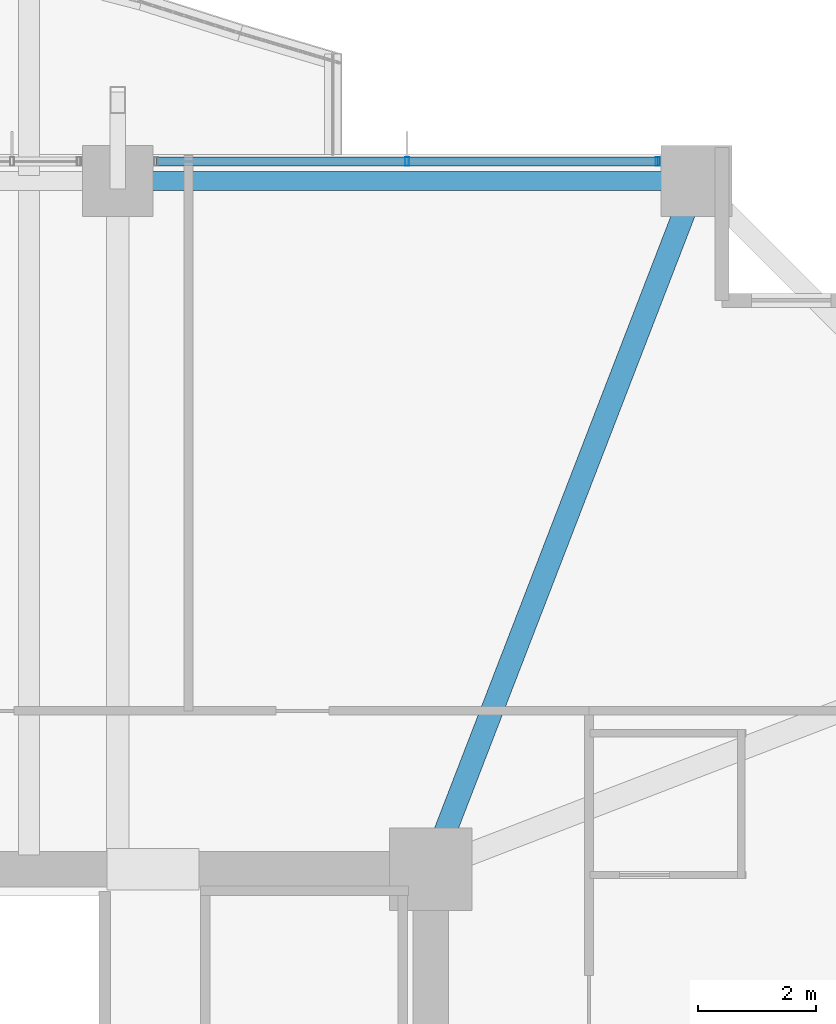
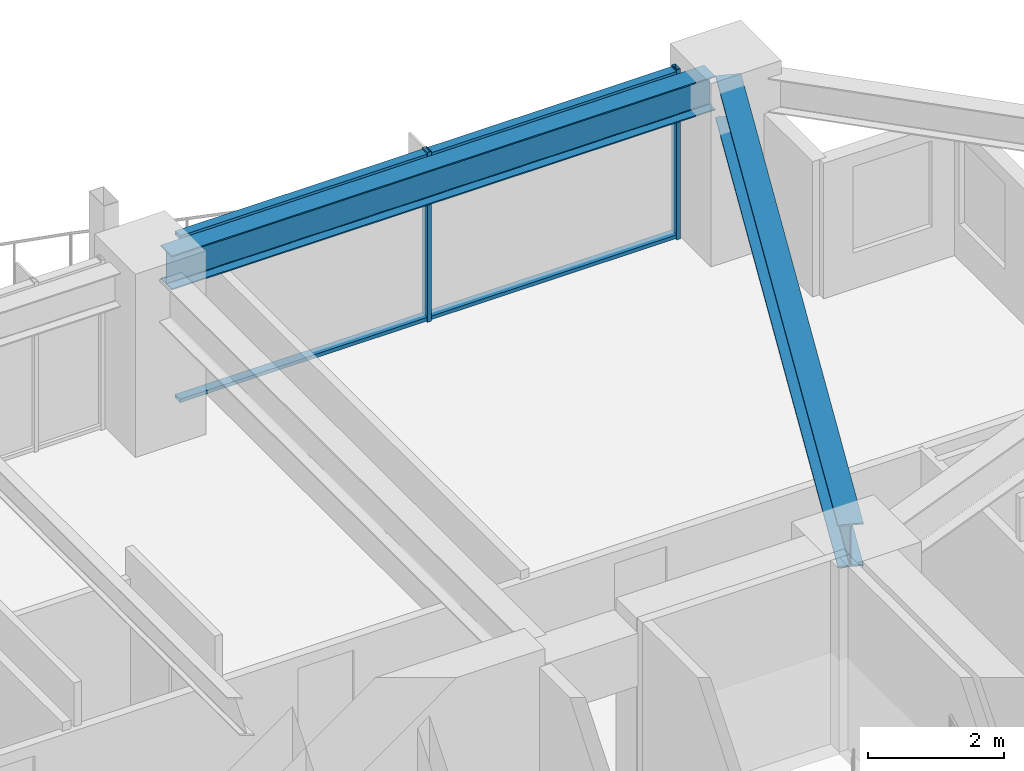
# One storey, part 24 of 38: 4 members, 2 beams, 1 element without a shape of its own.
"""IFC4 building model written with IfcOpenShell, lengths in metres."""

from ifc_helpers import new_model, si_unit, direction, frame, origin, origin_2d, place, context, subcontext, project, spatial, hollow_rectangle, i_section, extrude, material, material_profile, profile_set, type_object, element, aggregate, save


model = new_model("IFC4")

# Units and contexts
model_context = context("Model", 3, precision=1e-05, world=origin(), true_north=direction((0.0, 1.0)))
body_context = subcontext(model_context, "Body", "Model", "MODEL_VIEW")
ifc_project = project(units=[si_unit("LENGTHUNIT", "METRE"), si_unit("AREAUNIT", "SQUARE_METRE"), si_unit("VOLUMEUNIT", "CUBIC_METRE"), si_unit("PLANEANGLEUNIT", "RADIAN"), si_unit("MASSUNIT", "GRAM", prefix="KILO")], contexts=[model_context])

# Site, building, storey
site_placement = place(None, origin())
site = spatial("IfcSite", under=ifc_project, at=site_placement, CompositionType="ELEMENT")
building_placement = place(site_placement, origin())
building = spatial("IfcBuilding", under=site, at=building_placement, Name="Kolvaren Belvedere", CompositionType="ELEMENT")
storey_placement = place(building_placement, frame((0.0, 0.0, 50.199951171875)))
storey = spatial("IfcBuildingStorey", under=building, at=storey_placement, Name="L14", CompositionType="ELEMENT", Elevation=50.199951171875)

# Beams
ifc_material_1 = material(Name="Structural steel ASTM A992 Grade 50", Category="steel")
ifc_material_profile_1 = material_profile(ifc_material_1, i_section(OverallWidth=0.381103515625, OverallDepth=0.77294921875, WebThickness=0.0166015625, FlangeThickness=0.027099609375, FilletRadius=0.02392578125, at=origin_2d()), Name="W30X173")
ifc_profile_set_1 = profile_set([ifc_material_profile_1], Name="Structural steel ASTM A992 Grade 50")
beam_type_1 = type_object("IfcBeamType", Name="BM-GIRD-W30X173", PredefinedType="BEAM", material=ifc_profile_set_1)
beam_1_placement = place(storey_placement, frame((10.09814453125, 10.4130859375, 2.673583984375), z_axis=(0.360318391835, 0.932829382313, 0.0), x_axis=(-0.932829382313, 0.360318391835, 0.0)))
element("IfcBeam", 1, at=beam_1_placement, inside=storey, type_object=beam_type_1, Name="L14 Corner Core-to-Perimeter Girder CC3-N4", PredefinedType="BEAM", context=body_context, shape_type="SweptSolid", body=[
    extrude(i_section(OverallWidth=0.381103515625, OverallDepth=0.77294921875, WebThickness=0.0166015625, FlangeThickness=0.027099609375, FilletRadius=0.02392578125, at=origin_2d()), origin(), (0.0, 0.0, 1.0), 11.698974609375),
])
ifc_material_2 = material(Name="Structural steel ASTM A992 Grade 50", Category="steel")
ifc_material_profile_2 = material_profile(ifc_material_2, i_section(OverallWidth=0.324951171875, OverallDepth=0.615966796875, WebThickness=0.013916015625, FlangeThickness=0.021484375, FilletRadius=0.02001953125, at=origin_2d()), Name="W24X117")
ifc_profile_set_2 = profile_set([ifc_material_profile_2], Name="Structural steel ASTM A992 Grade 50")
beam_type_2 = type_object("IfcBeamType", Name="BM-SPAN-W24X117", PredefinedType="SPANDREL", material=ifc_profile_set_2)
beam_2_placement = place(storey_placement, frame((14.1298828125, 21.550048828125, 2.751953125), z_axis=(-1.0, 0.0, 0.0), x_axis=(0.0, -1.0, 0.0)))
element("IfcBeam", 2, at=beam_2_placement, inside=storey, type_object=beam_type_2, Name="L14 Perimeter Spandrel N4-N3", PredefinedType="SPANDREL", context=body_context, shape_type="SweptSolid", body=[
    extrude(i_section(OverallWidth=0.324951171875, OverallDepth=0.615966796875, WebThickness=0.013916015625, FlangeThickness=0.021484375, FilletRadius=0.02001953125, at=origin_2d()), origin(), (0.0, 0.0, 1.0), 9.259765625),
])

# Curtain wall, members
ifc_material_3 = material(Name="Anodised pale-metal aluminium AA 6063-T6", Category="aluminium")
curtain_wall_type = type_object("IfcCurtainWallType", Name="CW-Z1-LOW", PredefinedType="NOTDEFINED", material=ifc_material_3)
curtain_wall_placement = place(storey_placement, origin())
curtain_wall = element("IfcCurtainWall", 3, at=curtain_wall_placement, inside=storey, type_object=curtain_wall_type, Name="L14 Unitised Curtain Wall FCW-L14-N2-B2", PredefinedType="NOTDEFINED")
ifc_material_4 = material(Name="Anodised pale-metal aluminium AA 6063-T6", Category="aluminium")
ifc_material_profile_3 = material_profile(ifc_material_4, hollow_rectangle(XDim=0.070068359375, YDim=0.14990234375, WallThickness=0.004150390625, at=origin_2d()), Name="ALU-MUL-150X70")
ifc_profile_set_3 = profile_set([ifc_material_profile_3], Name="Anodised pale-metal aluminium AA 6063-T6")
member_type_1 = type_object("IfcMemberType", Name="CW-MUL-150", PredefinedType="MULLION", material=ifc_profile_set_3)
member_1_placement = place(storey_placement, frame((9.5, 21.8798828125, 0.0), z_axis=(0.0, 0.0, 1.0), x_axis=(1.0, 0.0, 0.0)))
member_1 = element("IfcMember", 4, at=member_1_placement, type_object=member_type_1, Name="FCW-L14-N2-B2 Unitised Mullion 2", PredefinedType="MULLION", context=body_context, shape_type="SweptSolid", body=[
    extrude(hollow_rectangle(XDim=0.070068359375, YDim=0.14990234375, WallThickness=0.004150390625, at=origin_2d()), origin(), (0.0, 0.0, 1.0), 3.06005859375),
])
member_2_placement = place(storey_placement, frame((13.7451171875, 21.8798828125, 0.0), z_axis=(0.0, 0.0, 1.0), x_axis=(1.0, 0.0, 0.0)))
member_2 = element("IfcMember", 5, at=member_2_placement, type_object=member_type_1, Name="FCW-L14-N2-B2 Unitised Mullion 3", PredefinedType="MULLION", context=body_context, shape_type="SweptSolid", body=[
    extrude(hollow_rectangle(XDim=0.070068359375, YDim=0.14990234375, WallThickness=0.004150390625, at=origin_2d()), origin(), (0.0, 0.0, 1.0), 3.06005859375),
])
ifc_material_5 = material(Name="Anodised pale-metal aluminium AA 6063-T6", Category="aluminium")
ifc_material_profile_4 = material_profile(ifc_material_5, hollow_rectangle(XDim=0.06494140625, YDim=0.14990234375, WallThickness=0.00390625, at=origin_2d()), Name="ALU-TRN-150X65")
ifc_profile_set_4 = profile_set([ifc_material_profile_4], Name="Anodised pale-metal aluminium AA 6063-T6")
member_type_2 = type_object("IfcMemberType", Name="CW-TRN-150", PredefinedType="USERDEFINED", material=ifc_profile_set_4)
member_3_placement = place(storey_placement, frame((5.2548828125, 21.8798828125, 0.06005859375), z_axis=(1.0, 0.0, 0.0), x_axis=(0.0, 0.0, 1.0)))
member_3 = element("IfcMember", 6, at=member_3_placement, type_object=member_type_2, Name="FCW-L14-N2-B2 Sill Transom", ObjectType="TRANSOM", PredefinedType="USERDEFINED", context=body_context, shape_type="SweptSolid", body=[
    extrude(hollow_rectangle(XDim=0.06494140625, YDim=0.14990234375, WallThickness=0.00390625, at=origin_2d()), origin(), (0.0, 0.0, 1.0), 8.490234375),
])
member_4_placement = place(storey_placement, frame((5.2548828125, 21.8798828125, 3.0), z_axis=(1.0, 0.0, 0.0), x_axis=(0.0, 0.0, 1.0)))
member_4 = element("IfcMember", 7, at=member_4_placement, type_object=member_type_2, Name="FCW-L14-N2-B2 Head Transom", ObjectType="TRANSOM", PredefinedType="USERDEFINED", context=body_context, shape_type="SweptSolid", body=[
    extrude(hollow_rectangle(XDim=0.06494140625, YDim=0.14990234375, WallThickness=0.00390625, at=origin_2d()), origin(), (0.0, 0.0, 1.0), 8.490234375),
])
aggregate(curtain_wall, [member_1, member_2, member_3, member_4])

save(model, "model.ifc")
